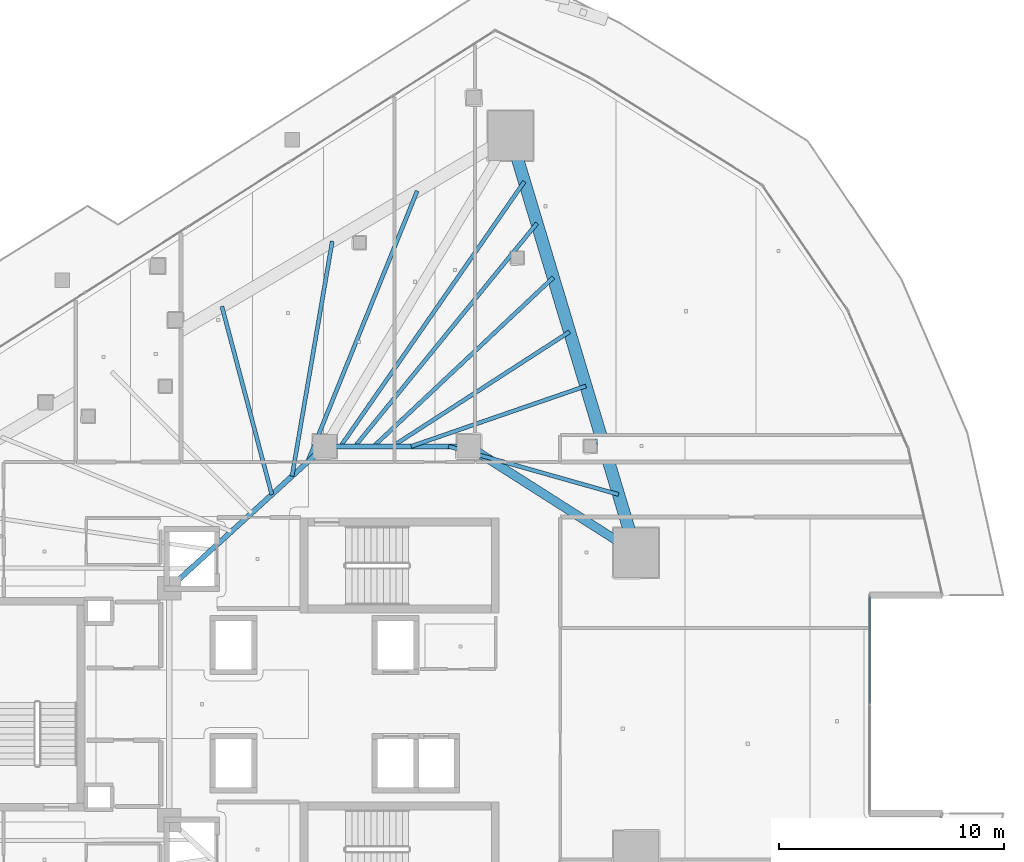
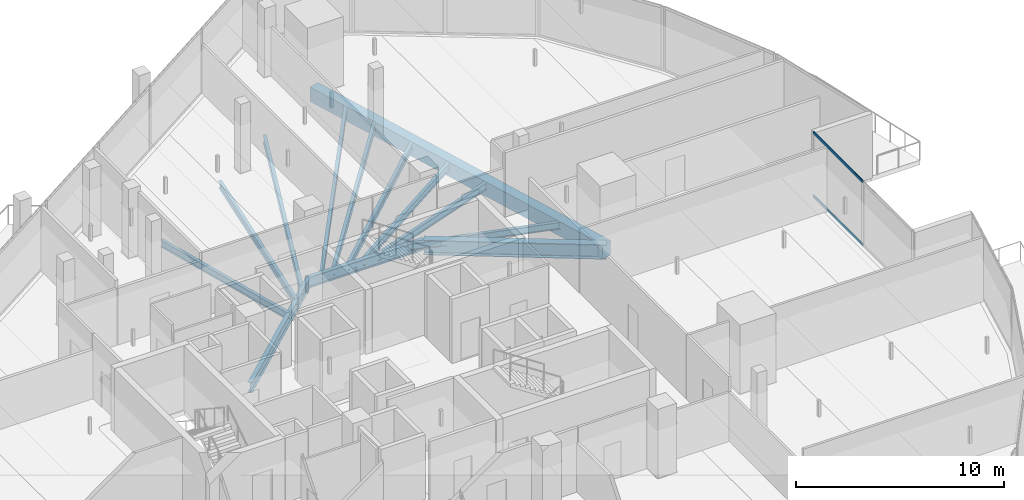
# One storey, part 19 of 39: 13 beams, 2 members, 1 element without a shape of its own.
"""IFC4 building model written with IfcOpenShell, lengths in metres."""

from ifc_helpers import new_model, si_unit, direction, frame, origin, origin_2d, place, context, subcontext, project, spatial, rectangle, hollow_rectangle, i_section, extrude, material, layer, layer_set, material_profile, profile_set, type_object, element, aggregate, save


model = new_model("IFC4")

# Units and contexts
model_context = context("Model", 3, precision=1e-05, world=origin(), true_north=direction((0.0, 1.0)))
body_context = subcontext(model_context, "Body", "Model", "MODEL_VIEW")
ifc_project = project(units=[si_unit("LENGTHUNIT", "METRE"), si_unit("AREAUNIT", "SQUARE_METRE"), si_unit("VOLUMEUNIT", "CUBIC_METRE"), si_unit("PLANEANGLEUNIT", "RADIAN"), si_unit("MASSUNIT", "GRAM", prefix="KILO")], contexts=[model_context])

# Site, building, storey
site_placement = place(None, origin())
site = spatial("IfcSite", under=ifc_project, at=site_placement, CompositionType="ELEMENT")
building_placement = place(site_placement, origin())
building = spatial("IfcBuilding", under=site, at=building_placement, Name="Qorvath Tower", CompositionType="ELEMENT")
storey_placement = place(building_placement, frame((0.0, 0.0, 142.199951171875)))
storey = spatial("IfcBuildingStorey", under=building, at=storey_placement, Name="L32", CompositionType="ELEMENT", Elevation=142.199951171875)

# Beams
ifc_material_1 = material(Name="Steel ASTM A992 Grade 50", Category="steel")
ifc_material_profile_1 = material_profile(ifc_material_1, i_section(OverallWidth=0.39892578125, OverallDepth=0.85498046875, WebThickness=0.018310546875, FlangeThickness=0.029296875, FilletRadius=0.02001953125, at=origin_2d()), Name="W33x201")
ifc_profile_set_1 = profile_set([ifc_material_profile_1], Name="Steel ASTM A992 Grade 50")
beam_type_1 = type_object("IfcBeamType", Name="BM-FG2", PredefinedType="BEAM", material=ifc_profile_set_1)
beam_1_placement = place(storey_placement, frame((-17.199951171875, 11.449951171875, -0.697509765625), z_axis=(0.843634090834, -0.536918542037, 0.0), x_axis=(0.536918542037, 0.843634090834, 0.0)))
element("IfcBeam", 1, at=beam_1_placement, inside=storey, type_object=beam_type_1, Name="Radial Floor Girder CC2-MC5 L32", PredefinedType="BEAM", context=body_context, shape_type="SweptSolid", body=[
    extrude(i_section(OverallWidth=0.39892578125, OverallDepth=0.85498046875, WebThickness=0.018310546875, FlangeThickness=0.029296875, FilletRadius=0.02001953125, at=origin_2d()), origin(), (0.0, 0.0, 1.0), 8.806884765625),
])
ifc_material_2 = material(Name="Steel ASTM A992 Grade 50", Category="steel")
ifc_material_profile_2 = material_profile(ifc_material_2, i_section(OverallWidth=0.22998046875, OverallDepth=0.616943359375, WebThickness=0.01318359375, FlangeThickness=0.022216796875, FilletRadius=0.014892578125, at=origin_2d()), Name="W24x94")
ifc_profile_set_2 = profile_set([ifc_material_profile_2], Name="Steel ASTM A992 Grade 50")
beam_type_2 = type_object("IfcBeamType", Name="BM-FG6", PredefinedType="BEAM", material=ifc_profile_set_2)
beam_2_placement = place(storey_placement, frame((-23.60009765625, 11.449951171875, -0.57861328125), z_axis=(1.0, 0.0, 0.0), x_axis=(0.0, 1.0, 0.0)))
element("IfcBeam", 2, at=beam_2_placement, inside=storey, type_object=beam_type_2, Name="Core Ring Girder CC1-CC2 L32", PredefinedType="BEAM", context=body_context, shape_type="SweptSolid", body=[
    extrude(i_section(OverallWidth=0.22998046875, OverallDepth=0.616943359375, WebThickness=0.01318359375, FlangeThickness=0.022216796875, FilletRadius=0.014892578125, at=origin_2d()), origin(), (0.0, 0.0, 1.0), 6.400146484375),
])
beam_3_placement = place(storey_placement, frame((-30.5, 5.14990234375, -0.57861328125), z_axis=(0.73847813985, 0.6742774184, 0.0), x_axis=(-0.6742774184, 0.73847813985, 0.0)))
element("IfcBeam", 3, at=beam_3_placement, inside=storey, type_object=beam_type_2, Name="Core Ring Girder CC5-CC1 L32", PredefinedType="BEAM", context=body_context, shape_type="SweptSolid", body=[
    extrude(i_section(OverallWidth=0.22998046875, OverallDepth=0.616943359375, WebThickness=0.01318359375, FlangeThickness=0.022216796875, FilletRadius=0.014892578125, at=origin_2d()), origin(), (0.0, 0.0, 1.0), 9.343505859375),
])
ifc_material_3 = material(Name="Steel ASTM A992 Grade 50", Category="steel")
ifc_material_profile_3 = material_profile(ifc_material_3, i_section(OverallWidth=0.177978515625, OverallDepth=0.406005859375, WebThickness=0.0078125, FlangeThickness=0.0126953125, FilletRadius=0.010986328125, at=origin_2d()), Name="W16x40")
ifc_profile_set_3 = profile_set([ifc_material_profile_3], Name="Steel ASTM A992 Grade 50")
beam_type_3 = type_object("IfcBeamType", Name="BM-FJ3", PredefinedType="JOIST", material=ifc_profile_set_3)
beam_4_placement = place(storey_placement, frame((-18.095947265625, 11.449951171875, -0.47314453125), z_axis=(0.962222206221, -0.272265359264, 0.0), x_axis=(0.272265359264, 0.962222206221, 0.0)))
element("IfcBeam", 4, at=beam_4_placement, inside=storey, type_object=beam_type_3, Name="Composite Floor Joist NE1 L32", PredefinedType="JOIST", context=body_context, shape_type="SweptSolid", body=[
    extrude(i_section(OverallWidth=0.177978515625, OverallDepth=0.406005859375, WebThickness=0.0078125, FlangeThickness=0.0126953125, FilletRadius=0.010986328125, at=origin_2d()), origin(), (0.0, 0.0, 1.0), 7.841552734375),
])
beam_5_placement = place(storey_placement, frame((-19.760009765625, 11.449951171875, -0.47314453125), z_axis=(0.945168345309, 0.326583525342, 0.0), x_axis=(-0.326583525342, 0.945168345309, 0.0)))
element("IfcBeam", 5, at=beam_5_placement, inside=storey, type_object=beam_type_3, Name="Composite Floor Joist NE3 L32", PredefinedType="JOIST", context=body_context, shape_type="SweptSolid", body=[
    extrude(i_section(OverallWidth=0.177978515625, OverallDepth=0.406005859375, WebThickness=0.0078125, FlangeThickness=0.0126953125, FilletRadius=0.010986328125, at=origin_2d()), origin(), (0.0, 0.0, 1.0), 8.21044921875),
])
beam_6_placement = place(storey_placement, frame((-20.592041015625, 11.449951171875, -0.47314453125), z_axis=(0.839630966809, 0.543157288062, 0.0), x_axis=(-0.543157288062, 0.839630966809, 0.0)))
element("IfcBeam", 6, at=beam_6_placement, inside=storey, type_object=beam_type_3, Name="Composite Floor Joist NE4 L32", PredefinedType="JOIST", context=body_context, shape_type="SweptSolid", body=[
    extrude(i_section(OverallWidth=0.177978515625, OverallDepth=0.406005859375, WebThickness=0.0078125, FlangeThickness=0.0126953125, FilletRadius=0.010986328125, at=origin_2d()), origin(), (0.0, 0.0, 1.0), 9.370361328125),
])
beam_7_placement = place(storey_placement, frame((-21.424072265625, 11.449951171875, -0.47314453125), z_axis=(0.728572459091, 0.684968737866, 0.0), x_axis=(-0.684968737866, 0.728572459091, 0.0)))
element("IfcBeam", 7, at=beam_7_placement, inside=storey, type_object=beam_type_3, Name="Composite Floor Joist NE5 L32", PredefinedType="JOIST", context=body_context, shape_type="SweptSolid", body=[
    extrude(i_section(OverallWidth=0.177978515625, OverallDepth=0.406005859375, WebThickness=0.0078125, FlangeThickness=0.0126953125, FilletRadius=0.010986328125, at=origin_2d()), origin(), (0.0, 0.0, 1.0), 10.9462890625),
])
beam_8_placement = place(storey_placement, frame((-22.256103515625, 11.449951171875, -0.47314453125), z_axis=(0.632187975212, 0.774815051478, 0.0), x_axis=(-0.774815051478, 0.632187975212, 0.0)))
element("IfcBeam", 8, at=beam_8_placement, inside=storey, type_object=beam_type_3, Name="Composite Floor Joist NE6 L32", PredefinedType="JOIST", context=body_context, shape_type="SweptSolid", body=[
    extrude(i_section(OverallWidth=0.177978515625, OverallDepth=0.406005859375, WebThickness=0.0078125, FlangeThickness=0.0126953125, FilletRadius=0.010986328125, at=origin_2d()), origin(), (0.0, 0.0, 1.0), 12.784912109375),
])
beam_9_placement = place(storey_placement, frame((-22.89599609375, 11.449951171875, -0.47314453125), z_axis=(0.570366725248, 0.821390162304, 0.0), x_axis=(-0.821390162304, 0.570366725248, 0.0)))
element("IfcBeam", 9, at=beam_9_placement, inside=storey, type_object=beam_type_3, Name="Composite Floor Joist NE7 L32", PredefinedType="JOIST", context=body_context, shape_type="SweptSolid", body=[
    extrude(i_section(OverallWidth=0.177978515625, OverallDepth=0.406005859375, WebThickness=0.0078125, FlangeThickness=0.0126953125, FilletRadius=0.010986328125, at=origin_2d()), origin(), (0.0, 0.0, 1.0), 14.3154296875),
])
beam_10_placement = place(storey_placement, frame((-25.946044921875, 9.30810546875, -0.47314453125), z_axis=(-0.256507909517, 0.966542131702, 0.0), x_axis=(-0.966542131702, -0.256507909517, 0.0)))
element("IfcBeam", 10, at=beam_10_placement, inside=storey, type_object=beam_type_3, Name="Composite Floor Joist NW5 L32", PredefinedType="JOIST", context=body_context, shape_type="SweptSolid", body=[
    extrude(i_section(OverallWidth=0.177978515625, OverallDepth=0.406005859375, WebThickness=0.0078125, FlangeThickness=0.0126953125, FilletRadius=0.010986328125, at=origin_2d()), origin(), (0.0, 0.0, 1.0), 8.64697265625),
])
beam_11_placement = place(storey_placement, frame((-25.049072265625, 10.126953125, -0.47314453125), z_axis=(0.168745594245, 0.985659639238, 0.0), x_axis=(-0.985659639238, 0.168745594245, 0.0)))
element("IfcBeam", 11, at=beam_11_placement, inside=storey, type_object=beam_type_3, Name="Composite Floor Joist NW6 L32", PredefinedType="JOIST", context=body_context, shape_type="SweptSolid", body=[
    extrude(i_section(OverallWidth=0.177978515625, OverallDepth=0.406005859375, WebThickness=0.0078125, FlangeThickness=0.0126953125, FilletRadius=0.010986328125, at=origin_2d()), origin(), (0.0, 0.0, 1.0), 10.589111328125),
])
beam_12_placement = place(storey_placement, frame((-24.35888671875, 10.757080078125, -0.47314453125), z_axis=(0.37487652097, 0.927074751045, 0.0), x_axis=(-0.927074751045, 0.37487652097, 0.0)))
element("IfcBeam", 12, at=beam_12_placement, inside=storey, type_object=beam_type_3, Name="Composite Floor Joist NW7 L32", PredefinedType="JOIST", context=body_context, shape_type="SweptSolid", body=[
    extrude(i_section(OverallWidth=0.177978515625, OverallDepth=0.406005859375, WebThickness=0.0078125, FlangeThickness=0.0126953125, FilletRadius=0.010986328125, at=origin_2d()), origin(), (0.0, 0.0, 1.0), 12.9833984375),
])
ifc_material_4 = material(Name="Concrete C50/60", Category="concrete")
ifc_material_profile_4 = material_profile(ifc_material_4, rectangle(XDim=0.550048828125, YDim=0.85009765625, at=origin_2d()), Name="RCB 850x550")
ifc_profile_set_4 = profile_set([ifc_material_profile_4], Name="Concrete C50/60")
beam_type_4 = type_object("IfcBeamType", Name="BM-RCB2", PredefinedType="SPANDREL", material=ifc_profile_set_4)
beam_13_placement = place(storey_placement, frame((-9.770263671875, 6.721435546875, -0.695068359375), z_axis=(-0.288133952099, 0.957590113591, 0.0), x_axis=(-0.957590113591, -0.288133952099, 0.0)))
element("IfcBeam", 13, at=beam_13_placement, inside=storey, type_object=beam_type_4, Name="Perimeter Loggia Frame Beam MC5-MC6 L32", PredefinedType="SPANDREL", context=body_context, shape_type="SweptSolid", body=[
    extrude(rectangle(XDim=0.550048828125, YDim=0.85009765625, at=origin_2d()), origin(), (0.0, 0.0, 1.0), 19.344970703125),
])

# Curtain wall, members
ifc_material_5 = material(Name="Anodised aluminium and triple low-E glass", Category="aluminium")
ifc_layer = layer(ifc_material_5, 0.179931640625)
ifc_layer_set = layer_set([ifc_layer], Name="CW-SYS-3")
curtain_wall_type = type_object("IfcCurtainWallType", Name="CW-SYS-3", PredefinedType="NOTDEFINED", material=ifc_layer_set)
curtain_wall_placement = place(storey_placement, origin())
curtain_wall = element("IfcCurtainWall", 14, at=curtain_wall_placement, inside=storey, type_object=curtain_wall_type, Name="Curtain Wall CW-3 CW-T-L32-9.1", PredefinedType="NOTDEFINED")
ifc_material_6 = material(Name="Anodised aluminium 6063-T6", Category="aluminium")
ifc_material_profile_5 = material_profile(ifc_material_6, hollow_rectangle(XDim=0.06494140625, YDim=0.159912109375, WallThickness=0.00341796875, InnerFilletRadius=0.00341796875, OuterFilletRadius=0.007080078125, at=origin_2d()), Name="CWT 160x65")
ifc_profile_set_5 = profile_set([ifc_material_profile_5], Name="Anodised aluminium 6063-T6")
member_type = type_object("IfcMemberType", Name="CWT-160", PredefinedType="USERDEFINED", material=ifc_profile_set_5)
member_1_placement = place(storey_placement, frame((0.6015625, 0.032470703125, 0.032470703125), z_axis=(0.0, 1.0, 0.0), x_axis=(-1.0, 0.0, 0.0)))
member_1 = element("IfcMember", 15, at=member_1_placement, type_object=member_type, Name="CW-3 transom 2.1", ObjectType="TRANSOM", PredefinedType="USERDEFINED", context=body_context, shape_type="SweptSolid", body=[
    extrude(hollow_rectangle(XDim=0.06494140625, YDim=0.159912109375, WallThickness=0.00341796875, InnerFilletRadius=0.00341796875, OuterFilletRadius=0.007080078125, at=origin_2d()), origin(), (0.0, 0.0, 1.0), 4.740966796875),
])
member_2_placement = place(storey_placement, frame((0.6015625, 0.032470703125, 3.74755859375), z_axis=(0.0, 1.0, 0.0), x_axis=(-1.0, 0.0, 0.0)))
member_2 = element("IfcMember", 16, at=member_2_placement, type_object=member_type, Name="CW-3 transom 2.2", ObjectType="TRANSOM", PredefinedType="USERDEFINED", context=body_context, shape_type="SweptSolid", body=[
    extrude(hollow_rectangle(XDim=0.06494140625, YDim=0.159912109375, WallThickness=0.00341796875, InnerFilletRadius=0.00341796875, OuterFilletRadius=0.007080078125, at=origin_2d()), origin(), (0.0, 0.0, 1.0), 4.740966796875),
])
aggregate(curtain_wall, [member_1, member_2])

save(model, "model.ifc")
